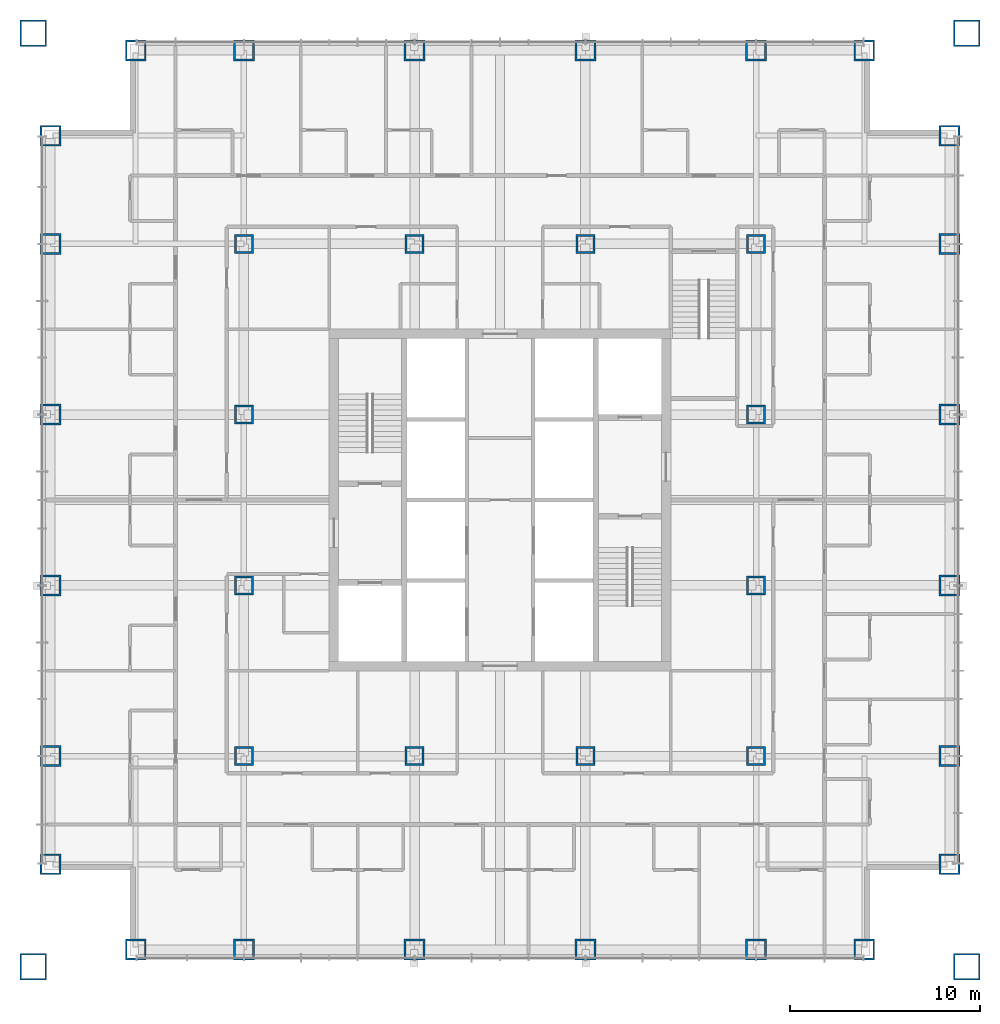
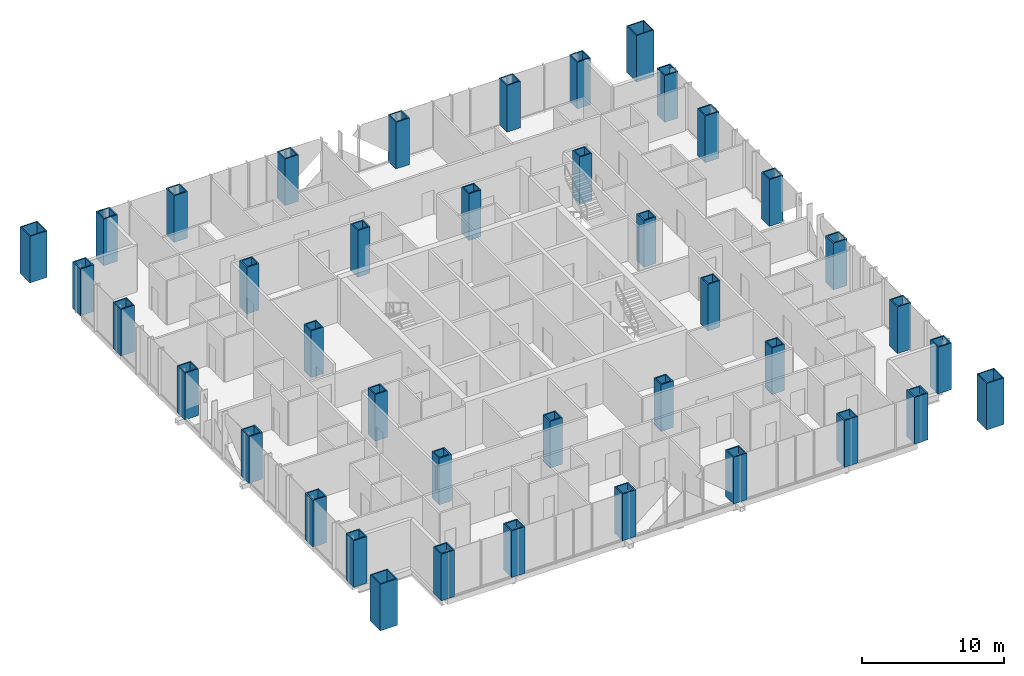
# One storey, part 1 of 16: 40 columns.
"""IFC4 building model written with IfcOpenShell, lengths in metres."""

from ifc_helpers import new_model, si_unit, direction, frame, origin, origin_2d, place, context, subcontext, project, spatial, hollow_rectangle, extrude, material, material_profile, profile_set, type_object, element, save


model = new_model("IFC4")

# Units and contexts
model_context = context("Model", 3, precision=1e-05, world=origin(), true_north=direction((0.0, 1.0)))
body_context = subcontext(model_context, "Body", "Model", "MODEL_VIEW")
ifc_project = project(units=[si_unit("LENGTHUNIT", "METRE"), si_unit("AREAUNIT", "SQUARE_METRE"), si_unit("VOLUMEUNIT", "CUBIC_METRE"), si_unit("PLANEANGLEUNIT", "RADIAN"), si_unit("MASSUNIT", "GRAM", prefix="KILO")], contexts=[model_context])

# Site, building, storey
site_placement = place(None, origin())
site = spatial("IfcSite", under=ifc_project, at=site_placement, CompositionType="ELEMENT")
building_placement = place(site_placement, origin())
building = spatial("IfcBuilding", under=site, at=building_placement, Name="Malebo Sky Hospital", CompositionType="ELEMENT")
storey_placement = place(building_placement, frame((0.0, 0.0, 116.0)))
storey = spatial("IfcBuildingStorey", under=building, at=storey_placement, Name="L27", CompositionType="ELEMENT", Elevation=116.0)

# Columns
ifc_material = material(Name="Steel S460", Category="steel")
ifc_material_profile_1 = material_profile(ifc_material, hollow_rectangle(XDim=1.0, YDim=1.0, WallThickness=0.10009765625, at=origin_2d()), Name="BOX 1000x1000x100")
ifc_profile_set_1 = profile_set([ifc_material_profile_1], Name="Steel S460")
column_type_1 = type_object("IfcColumnType", Name="INNER COLUMN BOX 1000x1000x100", PredefinedType="COLUMN", material=ifc_profile_set_1)
for number, where, z_axis, x_axis, name in (
    (1, (46.5, 48.5, 0.0), (0.0, 0.0, 1.0), (1.0, 0.0, 0.0), "Column IC9 L27"),
    (2, (73.5, 48.5, 0.0), (0.0, 0.0, 1.0), (1.0, 0.0, 0.0), "Column IC9 L27"),
    (3, (73.5, 75.5, 0.0), (0.0, 0.0, 1.0), (1.0, 0.0, 0.0), "Column IC9 L27"),
    (4, (46.5, 75.5, 0.0), (0.0, 0.0, 1.0), (1.0, 0.0, 0.0), "Column IC9 L27"),
    (5, (55.5, 48.5, 0.0), (0.0, 0.0, 1.0), (1.0, 0.0, 0.0), "Column IC9 L27"),
    (6, (64.5, 48.5, 0.0), (0.0, 0.0, 1.0), (1.0, 0.0, 0.0), "Column IC9 L27"),
    (7, (55.5, 75.5, 0.0), (0.0, 0.0, 1.0), (1.0, 0.0, 0.0), "Column IC9 L27"),
    (8, (64.5, 75.5, 0.0), (0.0, 0.0, 1.0), (1.0, 0.0, 0.0), "Column IC9 L27"),
    (9, (46.5, 57.5, 0.0), (0.0, 0.0, 1.0), (1.0, 0.0, 0.0), "Column IC9 L27"),
    (10, (46.5, 66.5, 0.0), (0.0, 0.0, 1.0), (1.0, 0.0, 0.0), "Column IC9 L27"),
    (11, (73.5, 57.5, 0.0), (0.0, 0.0, 1.0), (1.0, 0.0, 0.0), "Column IC9 L27"),
    (12, (73.5, 66.5, 0.0), (0.0, 0.0, 1.0), (1.0, 0.0, 0.0), "Column IC9 L27"),
):
    element("IfcColumn", number, at=place(storey_placement, frame(where, z_axis=z_axis, x_axis=x_axis)), inside=storey, type_object=column_type_1, Name=name, PredefinedType="COLUMN", context=body_context, shape_type="SweptSolid", body=[
        extrude(hollow_rectangle(XDim=1.0, YDim=1.0, WallThickness=0.10009765625, at=origin_2d()), origin(), (0.0, 0.0, 1.0), 4.0),
    ])
ifc_material_profile_2 = material_profile(ifc_material, hollow_rectangle(XDim=1.39990234375, YDim=1.39990234375, WallThickness=0.080078125, at=origin_2d()), Name="BOX 1400x1400x80")
ifc_profile_set_2 = profile_set([ifc_material_profile_2], Name="Steel S460")
column_type_2 = type_object("IfcColumnType", Name="MEGA COLUMN BOX 1400x1400x80", PredefinedType="COLUMN", material=ifc_profile_set_2)
for number, where, z_axis, x_axis, name in (
    (13, (35.39990234375, 37.39990234375, 0.0), (0.0, 0.0, 1.0), (1.0, 0.0, 0.0), "Mega column SW L27"),
    (14, (84.60009765625, 37.39990234375, 0.0), (0.0, 0.0, 1.0), (1.0, 0.0, 0.0), "Mega column SE L27"),
    (15, (84.60009765625, 86.60009765625, 0.0), (0.0, 0.0, 1.0), (1.0, 0.0, 0.0), "Mega column NE L27"),
    (16, (35.39990234375, 86.60009765625, 0.0), (0.0, 0.0, 1.0), (1.0, 0.0, 0.0), "Mega column NW L27"),
):
    element("IfcColumn", number, at=place(storey_placement, frame(where, z_axis=z_axis, x_axis=x_axis)), inside=storey, type_object=column_type_2, Name=name, PredefinedType="COLUMN", context=body_context, shape_type="SweptSolid", body=[
        extrude(hollow_rectangle(XDim=1.39990234375, YDim=1.39990234375, WallThickness=0.080078125, at=origin_2d()), origin(), (0.0, 0.0, 1.0), 4.0),
    ])
ifc_material_profile_3 = material_profile(ifc_material, hollow_rectangle(XDim=1.10009765625, YDim=1.10009765625, WallThickness=0.10009765625, at=origin_2d()), Name="BOX 1100x1100x100")
ifc_profile_set_3 = profile_set([ifc_material_profile_3], Name="Steel S460")
column_type_3 = type_object("IfcColumnType", Name="PERIMETER COLUMN BOX 1100x1100x100", PredefinedType="COLUMN", material=ifc_profile_set_3)
for number, where, z_axis, x_axis, name in (
    (17, (40.800048828125, 38.300048828125, 0.0), (0.0, 0.0, 1.0), (1.0, 0.0, 0.0), "Column PC10 L27"),
    (18, (40.800048828125, 85.699951171875, 0.0), (0.0, 0.0, 1.0), (1.0, 0.0, 0.0), "Column PC10 L27"),
    (19, (36.300048828125, 42.800048828125, 0.0), (0.0, 0.0, 1.0), (1.0, 0.0, 0.0), "Column PC10 L27"),
    (20, (83.699951171875, 42.800048828125, 0.0), (0.0, 0.0, 1.0), (1.0, 0.0, 0.0), "Column PC10 L27"),
    (21, (46.5, 38.300048828125, 0.0), (0.0, 0.0, 1.0), (1.0, 0.0, 0.0), "Column PC10 L27"),
    (22, (46.5, 85.699951171875, 0.0), (0.0, 0.0, 1.0), (1.0, 0.0, 0.0), "Column PC10 L27"),
    (23, (36.300048828125, 48.5, 0.0), (0.0, 0.0, 1.0), (1.0, 0.0, 0.0), "Column PC10 L27"),
    (24, (83.699951171875, 48.5, 0.0), (0.0, 0.0, 1.0), (1.0, 0.0, 0.0), "Column PC10 L27"),
    (25, (55.5, 38.300048828125, 0.0), (0.0, 0.0, 1.0), (1.0, 0.0, 0.0), "Column PC10 L27"),
    (26, (55.5, 85.699951171875, 0.0), (0.0, 0.0, 1.0), (1.0, 0.0, 0.0), "Column PC10 L27"),
    (27, (36.300048828125, 57.5, 0.0), (0.0, 0.0, 1.0), (1.0, 0.0, 0.0), "Column PC10 L27"),
    (28, (83.699951171875, 57.5, 0.0), (0.0, 0.0, 1.0), (1.0, 0.0, 0.0), "Column PC10 L27"),
    (29, (64.5, 38.300048828125, 0.0), (0.0, 0.0, 1.0), (1.0, 0.0, 0.0), "Column PC10 L27"),
    (30, (64.5, 85.699951171875, 0.0), (0.0, 0.0, 1.0), (1.0, 0.0, 0.0), "Column PC10 L27"),
    (31, (36.300048828125, 66.5, 0.0), (0.0, 0.0, 1.0), (1.0, 0.0, 0.0), "Column PC10 L27"),
    (32, (83.699951171875, 66.5, 0.0), (0.0, 0.0, 1.0), (1.0, 0.0, 0.0), "Column PC10 L27"),
    (33, (73.5, 38.300048828125, 0.0), (0.0, 0.0, 1.0), (1.0, 0.0, 0.0), "Column PC10 L27"),
    (34, (73.5, 85.699951171875, 0.0), (0.0, 0.0, 1.0), (1.0, 0.0, 0.0), "Column PC10 L27"),
    (35, (36.300048828125, 75.5, 0.0), (0.0, 0.0, 1.0), (1.0, 0.0, 0.0), "Column PC10 L27"),
    (36, (83.699951171875, 75.5, 0.0), (0.0, 0.0, 1.0), (1.0, 0.0, 0.0), "Column PC10 L27"),
    (37, (79.199951171875, 38.300048828125, 0.0), (0.0, 0.0, 1.0), (1.0, 0.0, 0.0), "Column PC10 L27"),
    (38, (79.199951171875, 85.699951171875, 0.0), (0.0, 0.0, 1.0), (1.0, 0.0, 0.0), "Column PC10 L27"),
    (39, (36.300048828125, 81.199951171875, 0.0), (0.0, 0.0, 1.0), (1.0, 0.0, 0.0), "Column PC10 L27"),
    (40, (83.699951171875, 81.199951171875, 0.0), (0.0, 0.0, 1.0), (1.0, 0.0, 0.0), "Column PC10 L27"),
):
    element("IfcColumn", number, at=place(storey_placement, frame(where, z_axis=z_axis, x_axis=x_axis)), inside=storey, type_object=column_type_3, Name=name, PredefinedType="COLUMN", context=body_context, shape_type="SweptSolid", body=[
        extrude(hollow_rectangle(XDim=1.10009765625, YDim=1.10009765625, WallThickness=0.10009765625, at=origin_2d()), origin(), (0.0, 0.0, 1.0), 4.0),
    ])

save(model, "model.ifc")
